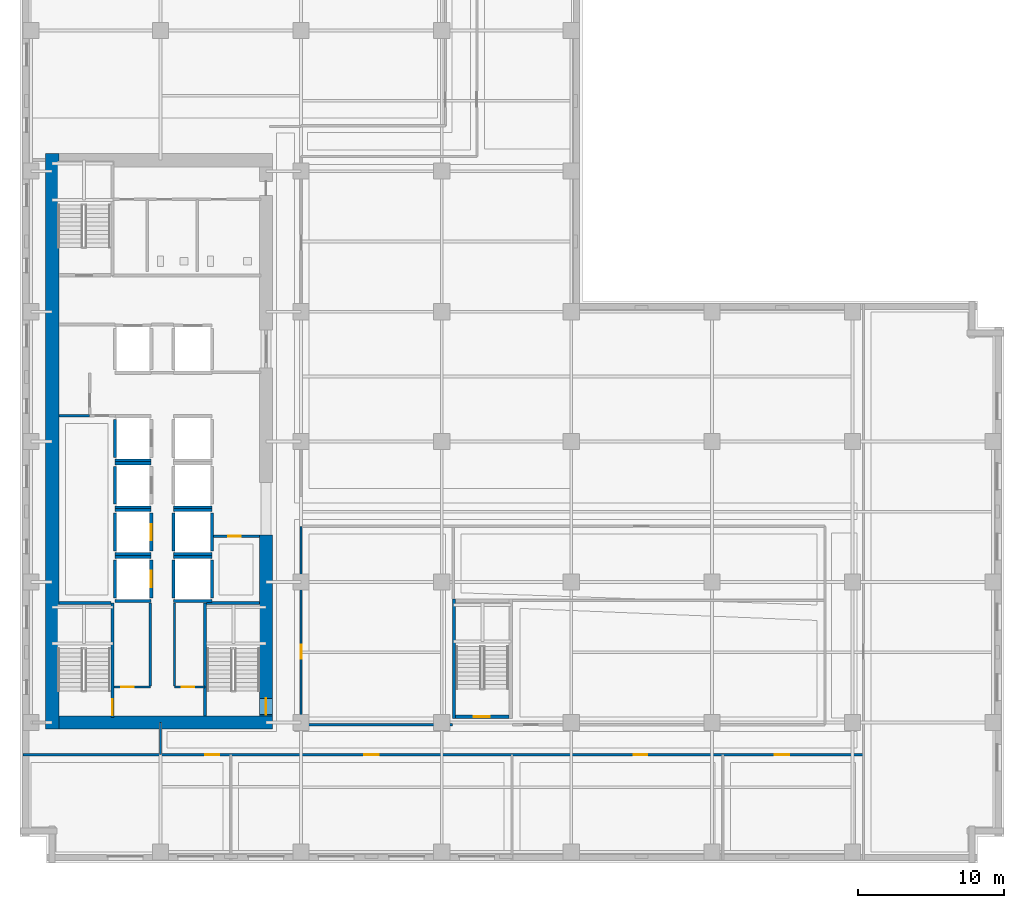
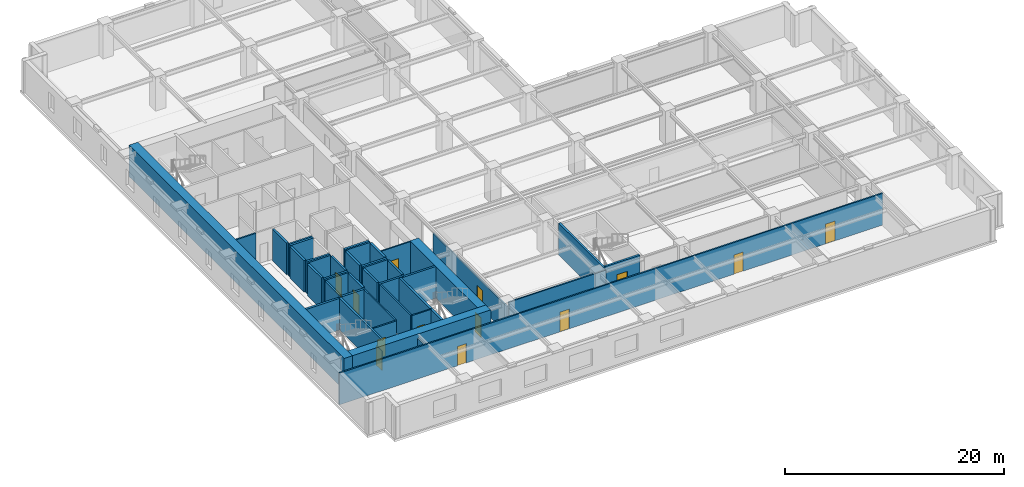
# One storey, part 4 of 13: 41 walls, 13 doors, 13 openings.
"""IFC4 building model written with IfcOpenShell, lengths in metres."""

from ifc_helpers import new_model, si_unit, direction, frame, frame_2d, origin, place, context, subcontext, project, spatial, rectangle, extrude, material, layer, layer_set, type_object, element, fill, save


model = new_model("IFC4")

# Units and contexts
model_context = context("Model", 3, precision=1e-05, world=origin(), true_north=direction((0.0, 1.0)))
body_context = subcontext(model_context, "Body", "Model", "MODEL_VIEW")
ifc_project = project(units=[si_unit("LENGTHUNIT", "METRE"), si_unit("AREAUNIT", "SQUARE_METRE"), si_unit("VOLUMEUNIT", "CUBIC_METRE"), si_unit("PLANEANGLEUNIT", "RADIAN"), si_unit("MASSUNIT", "GRAM", prefix="KILO")], contexts=[model_context])

# Site, building, storey
site_placement = place(None, origin())
site = spatial("IfcSite", under=ifc_project, at=site_placement, CompositionType="ELEMENT")
building_placement = place(site_placement, origin())
building = spatial("IfcBuilding", under=site, at=building_placement, Name="Norrvale University Quadrangle", CompositionType="ELEMENT")
storey_placement = place(building_placement, frame((0.0, 0.0, 81.199951171875)))
storey = spatial("IfcBuildingStorey", under=building, at=storey_placement, Name="L20", CompositionType="ELEMENT", Elevation=81.199951171875)

# Walls
ifc_material_1 = material(Name="Concrete C80/95", Category="concrete")
ifc_layer_1 = layer(ifc_material_1, 0.89990234375, Name="Concrete C80/95")
ifc_layer_set_1 = layer_set([ifc_layer_1], Name="Concrete C80/95")
wall_type_1 = type_object("IfcWallType", Name="Wall Core 900", PredefinedType="SHEAR", material=ifc_layer_set_1)
wall_1_placement = place(storey_placement, frame((2.64990234375, 9.60009765625, 0.0), z_axis=(0.0, 0.0, 1.0), x_axis=(1.0, 0.0, 0.0)))
element("IfcWall", 1, at=wall_1_placement, inside=storey, type_object=wall_type_1, Name="Tower Core Shear Wall L20-S", PredefinedType="SHEAR", context=body_context, shape_type="SweptSolid", body=[
    extrude(rectangle(XDim=14.60009765625, YDim=0.89990234375, at=frame_2d((7.300048828125, 0.0))), origin(), (0.0, 0.0, 1.0), 3.5400390625),
])
wall_2_placement = place(storey_placement, frame((2.199951171875, 9.14990234375, 0.0), z_axis=(0.0, 0.0, 1.0), x_axis=(0.0, 1.0, 0.0)))
element("IfcWall", 2, at=wall_2_placement, inside=storey, type_object=wall_type_1, Name="Tower Core Shear Wall L20-W", PredefinedType="SHEAR", context=body_context, shape_type="SweptSolid", body=[
    extrude(rectangle(XDim=39.300048828125, YDim=0.89990234375, at=frame_2d((19.64990234375, 0.0))), origin(), (0.0, 0.0, 1.0), 3.5400390625),
])

# Wall, opening, door
wall_3_placement = place(storey_placement, frame((16.800048828125, 10.050048828125, 0.0), z_axis=(0.0, 0.0, 1.0), x_axis=(0.0, 1.0, 0.0)))
wall_3 = element("IfcWall", 3, at=wall_3_placement, inside=storey, type_object=wall_type_1, Name="Tower Core Shear Wall L20-E1", PredefinedType="SHEAR", context=body_context, shape_type="SweptSolid", body=[
    extrude(rectangle(XDim=12.349853515625, YDim=0.89990234375, at=frame_2d((6.1748046875, 0.0))), origin(), (0.0, 0.0, 1.0), 3.5400390625),
])
opening_1_placement = place(wall_3_placement, frame((0.090087890625, 0.0, 0.0)))
opening_1 = element("IfcOpeningElement", 4, at=opening_1_placement, cuts=wall_3, Name="Opening D02", PredefinedType="OPENING", context=body_context, shape_type="SweptSolid", body=[
    extrude(rectangle(XDim=1.10009765625, YDim=2.199951171875, at=frame_2d((0.550048828125, 1.10009765625))), frame((0.0, 0.4619140625, 0.0), z_axis=(0.0, -1.0, 0.0), x_axis=(1.0, 0.0, 0.0)), (0.0, 0.0, 1.0), 0.923828125),
])
ifc_material_2 = material(Name="Hollow Steel 350W Fire Door", Category="steel")
door_type_1 = type_object("IfcDoorType", Name="Door Stair Exit 1100x2200", OperationType="NOTDEFINED", PredefinedType="DOOR", material=ifc_material_2)
door_1_placement = place(opening_1_placement, origin())
door_1 = element("IfcDoor", 5, at=door_1_placement, inside=storey, type_object=door_type_1, Name="Door Stair Exit 1100x2200 DR-L20-ST03", OperationType="SINGLE_SWING_LEFT", OverallHeight=2.199951171875, OverallWidth=1.10009765625, PredefinedType="DOOR", context=body_context, shape_type="SweptSolid", body=[
    extrude(rectangle(XDim=1.10009765625, YDim=2.199951171875, at=frame_2d((0.550048828125, 1.10009765625))), frame((0.0, 0.02490234375, 0.0), z_axis=(0.0, -1.0, 0.0), x_axis=(1.0, 0.0, 0.0)), (0.0, 0.0, 1.0), 0.050048828125),
])
fill(opening_1, door_1)

ifc_material_3 = material(Name="Fire-Rated Gypsum Stud Partition")
ifc_layer_2 = layer(ifc_material_3, 0.14990234375, Name="Fire-Rated Gypsum Stud Partition")
ifc_layer_set_2 = layer_set([ifc_layer_2], Name="Fire-Rated Gypsum Stud Partition")
wall_type_2 = type_object("IfcWallType", Name="Wall Gypsum Corridor 150", PredefinedType="PARTITIONING", material=ifc_layer_set_2)
wall_4_placement = place(storey_placement, frame((6.419921875, 12.02001953125, 0.0), z_axis=(0.0, 0.0, 1.0), x_axis=(1.0, 0.0, 0.0)))
wall_4 = element("IfcWall", 6, at=wall_4_placement, inside=storey, type_object=wall_type_2, Name="Interior Partition WL-L20-SC-NL", PredefinedType="PARTITIONING", context=body_context, shape_type="SweptSolid", body=[
    extrude(rectangle(XDim=2.47998046875, YDim=0.14990234375, at=frame_2d((1.239990234375, 0.0))), origin(), (0.0, 0.0, 1.0), 3.5400390625),
])
opening_2_placement = place(wall_4_placement, frame((0.5, 0.0, 0.0)))
opening_2 = element("IfcOpeningElement", 7, at=opening_2_placement, cuts=wall_4, Name="Opening D10", PredefinedType="OPENING", context=body_context, shape_type="SweptSolid", body=[
    extrude(rectangle(XDim=0.85009765625, YDim=2.10009765625, at=frame_2d((0.425048828125, 1.050048828125))), frame((0.0, 0.0869140625, 0.0), z_axis=(0.0, -1.0, 0.0), x_axis=(1.0, 0.0, 0.0)), (0.0, 0.0, 1.0), 0.173828125),
])
ifc_material_4 = material(Name="Hollow Steel 350W Riser Fire Door", Category="steel")
door_type_2 = type_object("IfcDoorType", Name="Door Riser 850x2100", OperationType="NOTDEFINED", PredefinedType="DOOR", material=ifc_material_4)
door_2_placement = place(opening_2_placement, origin())
door_2 = element("IfcDoor", 8, at=door_2_placement, inside=storey, type_object=door_type_2, Name="Door Riser 850x2100 DR-L20-ELEC", OperationType="SINGLE_SWING_LEFT", OverallHeight=2.10009765625, OverallWidth=0.85009765625, PredefinedType="DOOR", context=body_context, shape_type="SweptSolid", body=[
    extrude(rectangle(XDim=0.85009765625, YDim=2.10009765625, at=frame_2d((0.425048828125, 1.050048828125))), frame((0.0, 0.02490234375, 0.0), z_axis=(0.0, -1.0, 0.0), x_axis=(1.0, 0.0, 0.0)), (0.0, 0.0, 1.0), 0.050048828125),
])
fill(opening_2, door_2)

wall_5_placement = place(storey_placement, frame((10.550048828125, 12.02001953125, 0.0), z_axis=(0.0, 0.0, 1.0), x_axis=(1.0, 0.0, 0.0)))
wall_5 = element("IfcWall", 9, at=wall_5_placement, inside=storey, type_object=wall_type_2, Name="Interior Partition WL-L20-SC-NR", PredefinedType="PARTITIONING", context=body_context, shape_type="SweptSolid", body=[
    extrude(rectangle(XDim=2.079833984375, YDim=0.14990234375, at=frame_2d((1.0400390625, 0.0))), origin(), (0.0, 0.0, 1.0), 3.5400390625),
])
opening_3_placement = place(wall_5_placement, frame((0.5, 0.0, 0.0)))
opening_3 = element("IfcOpeningElement", 10, at=opening_3_placement, cuts=wall_5, Name="Opening D10", PredefinedType="OPENING", context=body_context, shape_type="SweptSolid", body=[
    extrude(rectangle(XDim=0.85009765625, YDim=2.10009765625, at=frame_2d((0.425048828125, 1.050048828125))), frame((0.0, 0.0869140625, 0.0), z_axis=(0.0, -1.0, 0.0), x_axis=(1.0, 0.0, 0.0)), (0.0, 0.0, 1.0), 0.173828125),
])
door_3_placement = place(opening_3_placement, origin())
door_3 = element("IfcDoor", 11, at=door_3_placement, inside=storey, type_object=door_type_2, Name="Door Riser 850x2100 DR-L20-IDF", OperationType="SINGLE_SWING_RIGHT", OverallHeight=2.10009765625, OverallWidth=0.85009765625, PredefinedType="DOOR", context=body_context, shape_type="SweptSolid", body=[
    extrude(rectangle(XDim=0.85009765625, YDim=2.10009765625, at=frame_2d((0.425048828125, 1.050048828125))), frame((0.0, 0.02490234375, 0.0), z_axis=(0.0, -1.0, 0.0), x_axis=(1.0, 0.0, 0.0)), (0.0, 0.0, 1.0), 0.050048828125),
])
fill(opening_3, door_3)

# Walls
for number, where, z_axis, x_axis, name in (
    (12, (8.89990234375, 12.094970703125, 0.0), (0.0, 0.0, 1.0), (0.0, 1.0, 0.0), "Interior Partition WL-L20-SC-WL"),
    (13, (10.550048828125, 12.094970703125, 0.0), (0.0, 0.0, 1.0), (0.0, 1.0, 0.0), "Interior Partition WL-L20-SC-WR"),
):
    element("IfcWall", number, at=place(storey_placement, frame(where, z_axis=z_axis, x_axis=x_axis)), inside=storey, type_object=wall_type_2, Name=name, PredefinedType="PARTITIONING", context=body_context, shape_type="SweptSolid", body=[
        extrude(rectangle(XDim=5.679931640625, YDim=0.14990234375, at=frame_2d((2.83984375, 0.0))), origin(), (0.0, 0.0, 1.0), 3.5400390625),
    ])

# Wall, opening, door
wall_6_placement = place(storey_placement, frame((13.22509765625, 22.320068359375, 0.0), z_axis=(0.0, 0.0, 1.0), x_axis=(1.0, 0.0, 0.0)))
wall_6 = element("IfcWall", 14, at=wall_6_placement, inside=storey, type_object=wall_type_2, Name="Interior Partition WL-L20-JAN-N", PredefinedType="PARTITIONING", context=body_context, shape_type="SweptSolid", body=[
    extrude(rectangle(XDim=3.119873046875, YDim=0.14990234375, at=frame_2d((1.56005859375, 0.0))), origin(), (0.0, 0.0, 1.0), 3.5400390625),
])
opening_4_placement = place(wall_6_placement, frame((1.0, 0.0, 0.0)))
opening_4 = element("IfcOpeningElement", 15, at=opening_4_placement, cuts=wall_6, Name="Opening D10", PredefinedType="OPENING", context=body_context, shape_type="SweptSolid", body=[
    extrude(rectangle(XDim=0.85009765625, YDim=2.10009765625, at=frame_2d((0.425048828125, 1.050048828125))), frame((0.0, 0.0869140625, 0.0), z_axis=(0.0, -1.0, 0.0), x_axis=(1.0, 0.0, 0.0)), (0.0, 0.0, 1.0), 0.173828125),
])
door_4_placement = place(opening_4_placement, origin())
door_4 = element("IfcDoor", 16, at=door_4_placement, inside=storey, type_object=door_type_2, Name="Door Riser 850x2100 DR-L20-JAN", OperationType="SINGLE_SWING_LEFT", OverallHeight=2.10009765625, OverallWidth=0.85009765625, PredefinedType="DOOR", context=body_context, shape_type="SweptSolid", body=[
    extrude(rectangle(XDim=0.85009765625, YDim=2.10009765625, at=frame_2d((0.425048828125, 1.050048828125))), frame((0.0, 0.02490234375, 0.0), z_axis=(0.0, -1.0, 0.0), x_axis=(1.0, 0.0, 0.0)), (0.0, 0.0, 1.0), 0.050048828125),
])
fill(opening_4, door_4)

# Walls
wall_7_placement = place(storey_placement, frame((2.64990234375, 30.550048828125, 0.0), z_axis=(0.0, 0.0, 1.0), x_axis=(1.0, 0.0, 0.0)))
element("IfcWall", 17, at=wall_7_placement, inside=storey, type_object=wall_type_2, Name="Interior Partition WL-L20-WST-N2", PredefinedType="PARTITIONING", context=body_context, shape_type="SweptSolid", body=[
    extrude(rectangle(XDim=2.110107421875, YDim=0.14990234375, at=frame_2d((1.05517578125, 0.0))), origin(), (0.0, 0.0, 1.0), 3.5400390625),
])
wall_8_placement = place(storey_placement, frame((9.60009765625, 7.39990234375, 0.0), z_axis=(0.0, 0.0, 1.0), x_axis=(0.0, 1.0, 0.0)))
element("IfcWall", 18, at=wall_8_placement, inside=storey, type_object=wall_type_2, Name="Interior Partition WL-L20-CSW-END", PredefinedType="PARTITIONING", context=body_context, shape_type="SweptSolid", body=[
    extrude(rectangle(XDim=2.2001953125, YDim=0.14990234375, at=frame_2d((1.10009765625, 0.0))), origin(), (0.0, 0.0, 1.0), 3.071044921875),
])

# Wall, openings, doors
wall_9_placement = place(storey_placement, frame((0.219970703125, 7.39990234375, 0.0), z_axis=(0.0, 0.0, 1.0), x_axis=(1.0, 0.0, 0.0)))
wall_9 = element("IfcWall", 19, at=wall_9_placement, inside=storey, type_object=wall_type_2, Name="Interior Partition WL-L20-SCW", PredefinedType="PARTITIONING", context=body_context, shape_type="SweptSolid", body=[
    extrude(rectangle(XDim=57.380126953125, YDim=0.14990234375, at=frame_2d((28.68994140625, 0.0))), origin(), (0.0, 0.0, 1.0), 3.5400390625),
])
opening_5_placement = place(wall_9_placement, frame((12.429931640625, 0.0, 0.0)))
opening_5 = element("IfcOpeningElement", 20, at=opening_5_placement, cuts=wall_9, Name="Opening D07", PredefinedType="OPENING", context=body_context, shape_type="SweptSolid", body=[
    extrude(rectangle(XDim=0.949951171875, YDim=2.14990234375, at=frame_2d((0.47509765625, 1.074951171875))), frame((0.0, 0.0869140625, 0.0), z_axis=(0.0, -1.0, 0.0), x_axis=(1.0, 0.0, 0.0)), (0.0, 0.0, 1.0), 0.173828125),
])
opening_6_placement = place(wall_9_placement, frame((23.280029296875, 0.0, 0.0)))
opening_6 = element("IfcOpeningElement", 21, at=opening_6_placement, cuts=wall_9, Name="Opening D04", PredefinedType="OPENING", context=body_context, shape_type="SweptSolid", body=[
    extrude(rectangle(XDim=1.0, YDim=2.199951171875, at=frame_2d((0.5, 1.10009765625))), frame((0.0, 0.0869140625, 0.0), z_axis=(0.0, -1.0, 0.0), x_axis=(1.0, 0.0, 0.0)), (0.0, 0.0, 1.0), 0.173828125),
])
opening_7_placement = place(wall_9_placement, frame((41.679931640625, 0.0, 0.0)))
opening_7 = element("IfcOpeningElement", 22, at=opening_7_placement, cuts=wall_9, Name="Opening D07", PredefinedType="OPENING", context=body_context, shape_type="SweptSolid", body=[
    extrude(rectangle(XDim=0.949951171875, YDim=2.14990234375, at=frame_2d((0.47509765625, 1.074951171875))), frame((0.0, 0.0869140625, 0.0), z_axis=(0.0, -1.0, 0.0), x_axis=(1.0, 0.0, 0.0)), (0.0, 0.0, 1.0), 0.173828125),
])
opening_8_placement = place(wall_9_placement, frame((51.330078125, 0.0, 0.0)))
opening_8 = element("IfcOpeningElement", 23, at=opening_8_placement, cuts=wall_9, Name="Opening D04", PredefinedType="OPENING", context=body_context, shape_type="SweptSolid", body=[
    extrude(rectangle(XDim=1.0, YDim=2.199951171875, at=frame_2d((0.5, 1.10009765625))), frame((0.0, 0.0869140625, 0.0), z_axis=(0.0, -1.0, 0.0), x_axis=(1.0, 0.0, 0.0)), (0.0, 0.0, 1.0), 0.173828125),
])
ifc_material_5 = material(Name="Solid-Core Oak Fire Door", Category="wood")
door_type_3 = type_object("IfcDoorType", Name="Door Corridor 1000x2200", OperationType="NOTDEFINED", PredefinedType="DOOR", material=ifc_material_5)
door_5_placement = place(opening_6_placement, origin())
door_5 = element("IfcDoor", 24, at=door_5_placement, inside=storey, type_object=door_type_3, Name="Door Corridor 1000x2200 DR-L20-S02", OperationType="SINGLE_SWING_RIGHT", OverallHeight=2.199951171875, OverallWidth=1.0, PredefinedType="DOOR", context=body_context, shape_type="SweptSolid", body=[
    extrude(rectangle(XDim=1.0, YDim=2.199951171875, at=frame_2d((0.5, 1.10009765625))), frame((0.0, 0.02490234375, 0.0), z_axis=(0.0, -1.0, 0.0), x_axis=(1.0, 0.0, 0.0)), (0.0, 0.0, 1.0), 0.050048828125),
])
fill(opening_6, door_5)
door_6_placement = place(opening_8_placement, origin())
door_6 = element("IfcDoor", 25, at=door_6_placement, inside=storey, type_object=door_type_3, Name="Door Corridor 1000x2200 DR-L20-S04", OperationType="SINGLE_SWING_RIGHT", OverallHeight=2.199951171875, OverallWidth=1.0, PredefinedType="DOOR", context=body_context, shape_type="SweptSolid", body=[
    extrude(rectangle(XDim=1.0, YDim=2.199951171875, at=frame_2d((0.5, 1.10009765625))), frame((0.0, 0.02490234375, 0.0), z_axis=(0.0, -1.0, 0.0), x_axis=(1.0, 0.0, 0.0)), (0.0, 0.0, 1.0), 0.050048828125),
])
fill(opening_8, door_6)
ifc_material_6 = material(Name="Solid-Core Maple Door", Category="wood")
door_type_4 = type_object("IfcDoorType", Name="Door Office 950x2150", OperationType="NOTDEFINED", PredefinedType="DOOR", material=ifc_material_6)
door_7_placement = place(opening_5_placement, origin())
door_7 = element("IfcDoor", 26, at=door_7_placement, inside=storey, type_object=door_type_4, Name="Door Office 950x2150 DR-L20-S01", OperationType="SINGLE_SWING_LEFT", OverallHeight=2.14990234375, OverallWidth=0.949951171875, PredefinedType="DOOR", context=body_context, shape_type="SweptSolid", body=[
    extrude(rectangle(XDim=0.949951171875, YDim=2.14990234375, at=frame_2d((0.47509765625, 1.074951171875))), frame((0.0, 0.02490234375, 0.0), z_axis=(0.0, -1.0, 0.0), x_axis=(1.0, 0.0, 0.0)), (0.0, 0.0, 1.0), 0.050048828125),
])
fill(opening_5, door_7)
door_8_placement = place(opening_7_placement, origin())
door_8 = element("IfcDoor", 27, at=door_8_placement, inside=storey, type_object=door_type_4, Name="Door Office 950x2150 DR-L20-S03", OperationType="SINGLE_SWING_LEFT", OverallHeight=2.14990234375, OverallWidth=0.949951171875, PredefinedType="DOOR", context=body_context, shape_type="SweptSolid", body=[
    extrude(rectangle(XDim=0.949951171875, YDim=2.14990234375, at=frame_2d((0.47509765625, 1.074951171875))), frame((0.0, 0.02490234375, 0.0), z_axis=(0.0, -1.0, 0.0), x_axis=(1.0, 0.0, 0.0)), (0.0, 0.0, 1.0), 0.050048828125),
])
fill(opening_7, door_8)

# Wall, opening, door
wall_10_placement = place(storey_placement, frame((19.199951171875, 9.449951171875, 0.0), z_axis=(0.0, 0.0, 1.0), x_axis=(0.0, 1.0, 0.0)))
wall_10 = element("IfcWall", 28, at=wall_10_placement, inside=storey, type_object=wall_type_2, Name="Interior Partition WL-L20-ISLW", PredefinedType="PARTITIONING", context=body_context, shape_type="SweptSolid", body=[
    extrude(rectangle(XDim=13.550048828125, YDim=0.14990234375, at=frame_2d((6.77490234375, 0.0))), origin(), (0.0, 0.0, 1.0), 3.071044921875),
])
opening_9_placement = place(wall_10_placement, frame((4.5, 0.0, 0.0)))
opening_9 = element("IfcOpeningElement", 29, at=opening_9_placement, cuts=wall_10, Name="Opening D07", PredefinedType="OPENING", context=body_context, shape_type="SweptSolid", body=[
    extrude(rectangle(XDim=0.949951171875, YDim=2.14990234375, at=frame_2d((0.47509765625, 1.074951171875))), frame((0.0, 0.0869140625, 0.0), z_axis=(0.0, -1.0, 0.0), x_axis=(1.0, 0.0, 0.0)), (0.0, 0.0, 1.0), 0.173828125),
])
door_9_placement = place(opening_9_placement, origin())
door_9 = element("IfcDoor", 30, at=door_9_placement, inside=storey, type_object=door_type_4, Name="Door Office 950x2150 DR-L20-IW1", OperationType="SINGLE_SWING_LEFT", OverallHeight=2.14990234375, OverallWidth=0.949951171875, PredefinedType="DOOR", context=body_context, shape_type="SweptSolid", body=[
    extrude(rectangle(XDim=0.949951171875, YDim=2.14990234375, at=frame_2d((0.47509765625, 1.074951171875))), frame((0.0, 0.02490234375, 0.0), z_axis=(0.0, -1.0, 0.0), x_axis=(1.0, 0.0, 0.0)), (0.0, 0.0, 1.0), 0.050048828125),
])
fill(opening_9, door_9)

# Wall
wall_11_placement = place(storey_placement, frame((19.280029296875, 9.449951171875, 0.0), z_axis=(0.0, 0.0, 1.0), x_axis=(1.0, 0.0, 0.0)))
element("IfcWall", 31, at=wall_11_placement, inside=storey, type_object=wall_type_2, Name="Interior Partition WL-L20-ISLS1", PredefinedType="PARTITIONING", context=body_context, shape_type="SweptSolid", body=[
    extrude(rectangle(XDim=10.244873046875, YDim=0.14990234375, at=frame_2d((5.12255859375, 0.0))), origin(), (0.0, 0.0, 1.0), 3.5400390625),
])

# Wall, opening, door
ifc_material_7 = material(Name="Concrete Blockwork 20 MPa Fire Shaft", Category="masonry")
ifc_layer_3 = layer(ifc_material_7, 0.219970703125, Name="Concrete Blockwork 20 MPa Fire Shaft")
ifc_layer_set_3 = layer_set([ifc_layer_3], Name="Concrete Blockwork 20 MPa Fire Shaft")
wall_type_3 = type_object("IfcWallType", Name="Wall Shaft 220", PredefinedType="SOLIDWALL", material=ifc_layer_set_3)
wall_12_placement = place(storey_placement, frame((6.31005859375, 9.949951171875, 0.0), z_axis=(0.0, 0.0, 1.0), x_axis=(0.0, 1.0, 0.0)))
wall_12 = element("IfcWall", 32, at=wall_12_placement, inside=storey, type_object=wall_type_3, Name="Stair ST-01 East Shaft Wall L20", PredefinedType="SOLIDWALL", context=body_context, shape_type="SweptSolid", body=[
    extrude(rectangle(XDim=7.81005859375, YDim=0.219970703125, at=frame_2d((3.905029296875, 0.0))), origin(), (0.0, 0.0, 1.0), 3.5400390625),
])
opening_10_placement = place(wall_12_placement, frame((0.139892578125, 0.0, 0.0)))
opening_10 = element("IfcOpeningElement", 33, at=opening_10_placement, cuts=wall_12, Name="Opening D02", PredefinedType="OPENING", context=body_context, shape_type="SweptSolid", body=[
    extrude(rectangle(XDim=1.10009765625, YDim=2.199951171875, at=frame_2d((0.550048828125, 1.10009765625))), frame((0.0, 0.1220703125, 0.0), z_axis=(0.0, -1.0, 0.0), x_axis=(1.0, 0.0, 0.0)), (0.0, 0.0, 1.0), 0.243896484375),
])
door_10_placement = place(opening_10_placement, origin())
door_10 = element("IfcDoor", 34, at=door_10_placement, inside=storey, type_object=door_type_1, Name="Door Stair Exit 1100x2200 DR-L20-ST01", OperationType="SINGLE_SWING_LEFT", OverallHeight=2.199951171875, OverallWidth=1.10009765625, PredefinedType="DOOR", context=body_context, shape_type="SweptSolid", body=[
    extrude(rectangle(XDim=1.10009765625, YDim=2.199951171875, at=frame_2d((0.550048828125, 1.10009765625))), frame((0.0, 0.02490234375, 0.0), z_axis=(0.0, -1.0, 0.0), x_axis=(1.0, 0.0, 0.0)), (0.0, 0.0, 1.0), 0.050048828125),
])
fill(opening_10, door_10)

# Walls
wall_13_placement = place(storey_placement, frame((2.64990234375, 17.760009765625, 0.0), z_axis=(0.0, 0.0, 1.0), x_axis=(1.0, 0.0, 0.0)))
element("IfcWall", 35, at=wall_13_placement, inside=storey, type_object=wall_type_3, Name="Stair ST-01 North Shaft Wall L20", PredefinedType="SOLIDWALL", context=body_context, shape_type="SweptSolid", body=[
    extrude(rectangle(XDim=3.550048828125, YDim=0.219970703125, at=frame_2d((1.77490234375, 0.0))), origin(), (0.0, 0.0, 1.0), 3.5400390625),
])
wall_14_placement = place(storey_placement, frame((12.639892578125, 10.050048828125, 0.0), z_axis=(0.0, 0.0, 1.0), x_axis=(0.0, 1.0, 0.0)))
element("IfcWall", 36, at=wall_14_placement, inside=storey, type_object=wall_type_3, Name="Stair ST-03 West Shaft Wall L20", PredefinedType="SOLIDWALL", context=body_context, shape_type="SweptSolid", body=[
    extrude(rectangle(XDim=7.7099609375, YDim=0.219970703125, at=frame_2d((3.85498046875, 0.0))), origin(), (0.0, 0.0, 1.0), 3.5400390625),
])
wall_15_placement = place(storey_placement, frame((12.75, 17.760009765625, 0.0), z_axis=(0.0, 0.0, 1.0), x_axis=(1.0, 0.0, 0.0)))
element("IfcWall", 37, at=wall_15_placement, inside=storey, type_object=wall_type_3, Name="Stair ST-03 North Shaft Wall L20", PredefinedType="SOLIDWALL", context=body_context, shape_type="SweptSolid", body=[
    extrude(rectangle(XDim=3.60009765625, YDim=0.219970703125, at=frame_2d((1.800048828125, 0.0))), origin(), (0.0, 0.0, 1.0), 3.5400390625),
])

# Wall, opening, door
wall_16_placement = place(storey_placement, frame((29.75, 9.989990234375, 0.0), z_axis=(0.0, 0.0, 1.0), x_axis=(1.0, 0.0, 0.0)))
wall_16 = element("IfcWall", 38, at=wall_16_placement, inside=storey, type_object=wall_type_3, Name="Stair ST-04 South Shaft Wall L20", PredefinedType="SOLIDWALL", context=body_context, shape_type="SweptSolid", body=[
    extrude(rectangle(XDim=3.64990234375, YDim=0.219970703125, at=frame_2d((1.824951171875, 0.0))), origin(), (0.0, 0.0, 1.0), 3.5400390625),
])
opening_11_placement = place(wall_16_placement, frame((1.239990234375, 0.0, 0.0)))
opening_11 = element("IfcOpeningElement", 39, at=opening_11_placement, cuts=wall_16, Name="Opening D02", PredefinedType="OPENING", context=body_context, shape_type="SweptSolid", body=[
    extrude(rectangle(XDim=1.10009765625, YDim=2.199951171875, at=frame_2d((0.550048828125, 1.10009765625))), frame((0.0, 0.1220703125, 0.0), z_axis=(0.0, -1.0, 0.0), x_axis=(1.0, 0.0, 0.0)), (0.0, 0.0, 1.0), 0.243896484375),
])
door_11_placement = place(opening_11_placement, origin())
door_11 = element("IfcDoor", 40, at=door_11_placement, inside=storey, type_object=door_type_1, Name="Door Stair Exit 1100x2200 DR-L20-ST04", OperationType="SINGLE_SWING_LEFT", OverallHeight=2.199951171875, OverallWidth=1.10009765625, PredefinedType="DOOR", context=body_context, shape_type="SweptSolid", body=[
    extrude(rectangle(XDim=1.10009765625, YDim=2.199951171875, at=frame_2d((0.550048828125, 1.10009765625))), frame((0.0, 0.02490234375, 0.0), z_axis=(0.0, -1.0, 0.0), x_axis=(1.0, 0.0, 0.0)), (0.0, 0.0, 1.0), 0.050048828125),
])
fill(opening_11, door_11)

# Walls
wall_17_placement = place(storey_placement, frame((29.639892578125, 9.8798828125, 0.0), z_axis=(0.0, 0.0, 1.0), x_axis=(0.0, 1.0, 0.0)))
element("IfcWall", 41, at=wall_17_placement, inside=storey, type_object=wall_type_3, Name="Stair ST-04 West Shaft Wall L20", PredefinedType="SOLIDWALL", context=body_context, shape_type="SweptSolid", body=[
    extrude(rectangle(XDim=8.14013671875, YDim=0.219970703125, at=frame_2d((4.070068359375, 0.0))), origin(), (0.0, 0.0, 1.0), 3.5400390625),
])
wall_18_placement = place(storey_placement, frame((6.489990234375, 18.110107421875, 0.0), z_axis=(0.0, 0.0, 1.0), x_axis=(0.0, 1.0, 0.0)))
element("IfcWall", 42, at=wall_18_placement, inside=storey, type_object=wall_type_3, Name="Hoistway PL-01 West Wall L20", PredefinedType="SOLIDWALL", context=body_context, shape_type="SweptSolid", body=[
    extrude(rectangle(XDim=2.579833984375, YDim=0.219970703125, at=frame_2d((1.2900390625, 0.0))), origin(), (0.0, 0.0, 1.0), 3.5400390625),
])

# Wall, opening, door
wall_19_placement = place(storey_placement, frame((8.9599609375, 18.110107421875, 0.0), z_axis=(0.0, 0.0, 1.0), x_axis=(0.0, 1.0, 0.0)))
wall_19 = element("IfcWall", 43, at=wall_19_placement, inside=storey, type_object=wall_type_3, Name="Hoistway PL-01 East Wall L20", PredefinedType="SOLIDWALL", context=body_context, shape_type="SweptSolid", body=[
    extrude(rectangle(XDim=2.579833984375, YDim=0.219970703125, at=frame_2d((1.2900390625, 0.0))), origin(), (0.0, 0.0, 1.0), 3.5400390625),
])
opening_12_placement = place(wall_19_placement, frame((0.739990234375, 0.0, 0.0)))
opening_12 = element("IfcOpeningElement", 44, at=opening_12_placement, cuts=wall_19, Name="Opening LD1", PredefinedType="OPENING", context=body_context, shape_type="SweptSolid", body=[
    extrude(rectangle(XDim=1.10009765625, YDim=2.199951171875, at=frame_2d((0.550048828125, 1.10009765625))), frame((0.0, 0.1220703125, 0.0), z_axis=(0.0, -1.0, 0.0), x_axis=(1.0, 0.0, 0.0)), (0.0, 0.0, 1.0), 0.243896484375),
])
ifc_material_8 = material(Name="Stainless Steel 316L Lift Landing Door", Category="steel")
door_type_5 = type_object("IfcDoorType", Name="Door Lift Landing 1100x2200", OperationType="DOUBLE_DOOR_SLIDING", PredefinedType="DOOR", material=ifc_material_8)
door_12_placement = place(opening_12_placement, origin())
door_12 = element("IfcDoor", 45, at=door_12_placement, inside=storey, type_object=door_type_5, Name="Elevator Landing Door DR-L20-PL-01", OperationType="DOUBLE_DOOR_SLIDING", OverallHeight=2.199951171875, OverallWidth=1.10009765625, PredefinedType="DOOR", context=body_context, shape_type="SweptSolid", body=[
    extrude(rectangle(XDim=1.10009765625, YDim=2.199951171875, at=frame_2d((0.550048828125, 1.10009765625))), frame((0.0, 0.02490234375, 0.0), z_axis=(0.0, -1.0, 0.0), x_axis=(1.0, 0.0, 0.0)), (0.0, 0.0, 1.0), 0.050048828125),
])
fill(opening_12, door_12)

# Walls
for number, where, z_axis, x_axis, name in (
    (46, (6.489990234375, 17.889892578125, 0.0), (0.0, 0.0, 1.0), (1.0, 0.0, 0.0), "Hoistway PL-01 South Wall L20"),
    (47, (6.489990234375, 20.909912109375, 0.0), (0.0, 0.0, 1.0), (1.0, 0.0, 0.0), "Hoistway PL-01 North Wall L20"),
):
    element("IfcWall", number, at=place(storey_placement, frame(where, z_axis=z_axis, x_axis=x_axis)), inside=storey, type_object=wall_type_3, Name=name, PredefinedType="SOLIDWALL", context=body_context, shape_type="SweptSolid", body=[
        extrude(rectangle(XDim=2.469970703125, YDim=0.219970703125, at=frame_2d((1.23486328125, 0.0))), origin(), (0.0, 0.0, 1.0), 3.5400390625),
    ])
wall_20_placement = place(storey_placement, frame((6.489990234375, 21.31005859375, 0.0), z_axis=(0.0, 0.0, 1.0), x_axis=(0.0, 1.0, 0.0)))
element("IfcWall", 48, at=wall_20_placement, inside=storey, type_object=wall_type_3, Name="Hoistway PL-02 West Wall L20", PredefinedType="SOLIDWALL", context=body_context, shape_type="SweptSolid", body=[
    extrude(rectangle(XDim=2.579833984375, YDim=0.219970703125, at=frame_2d((1.2900390625, 0.0))), origin(), (0.0, 0.0, 1.0), 3.5400390625),
])

# Wall, opening, door
wall_21_placement = place(storey_placement, frame((8.9599609375, 21.31005859375, 0.0), z_axis=(0.0, 0.0, 1.0), x_axis=(0.0, 1.0, 0.0)))
wall_21 = element("IfcWall", 49, at=wall_21_placement, inside=storey, type_object=wall_type_3, Name="Hoistway PL-02 East Wall L20", PredefinedType="SOLIDWALL", context=body_context, shape_type="SweptSolid", body=[
    extrude(rectangle(XDim=2.579833984375, YDim=0.219970703125, at=frame_2d((1.2900390625, 0.0))), origin(), (0.0, 0.0, 1.0), 3.5400390625),
])
opening_13_placement = place(wall_21_placement, frame((0.739990234375, 0.0, 0.0)))
opening_13 = element("IfcOpeningElement", 50, at=opening_13_placement, cuts=wall_21, Name="Opening LD1", PredefinedType="OPENING", context=body_context, shape_type="SweptSolid", body=[
    extrude(rectangle(XDim=1.10009765625, YDim=2.199951171875, at=frame_2d((0.550048828125, 1.10009765625))), frame((0.0, 0.1220703125, 0.0), z_axis=(0.0, -1.0, 0.0), x_axis=(1.0, 0.0, 0.0)), (0.0, 0.0, 1.0), 0.243896484375),
])
door_13_placement = place(opening_13_placement, origin())
door_13 = element("IfcDoor", 51, at=door_13_placement, inside=storey, type_object=door_type_5, Name="Elevator Landing Door DR-L20-PL-02", OperationType="DOUBLE_DOOR_SLIDING", OverallHeight=2.199951171875, OverallWidth=1.10009765625, PredefinedType="DOOR", context=body_context, shape_type="SweptSolid", body=[
    extrude(rectangle(XDim=1.10009765625, YDim=2.199951171875, at=frame_2d((0.550048828125, 1.10009765625))), frame((0.0, 0.02490234375, 0.0), z_axis=(0.0, -1.0, 0.0), x_axis=(1.0, 0.0, 0.0)), (0.0, 0.0, 1.0), 0.050048828125),
])
fill(opening_13, door_13)

# Walls
for number, where, z_axis, x_axis, name in (
    (52, (6.489990234375, 21.090087890625, 0.0), (0.0, 0.0, 1.0), (1.0, 0.0, 0.0), "Hoistway PL-02 South Wall L20"),
    (53, (6.489990234375, 24.110107421875, 0.0), (0.0, 0.0, 1.0), (1.0, 0.0, 0.0), "Hoistway PL-02 North Wall L20"),
):
    element("IfcWall", number, at=place(storey_placement, frame(where, z_axis=z_axis, x_axis=x_axis)), inside=storey, type_object=wall_type_3, Name=name, PredefinedType="SOLIDWALL", context=body_context, shape_type="SweptSolid", body=[
        extrude(rectangle(XDim=2.469970703125, YDim=0.219970703125, at=frame_2d((1.23486328125, 0.0))), origin(), (0.0, 0.0, 1.0), 3.5400390625),
    ])
wall_22_placement = place(storey_placement, frame((6.489990234375, 24.510009765625, 0.0), z_axis=(0.0, 0.0, 1.0), x_axis=(0.0, 1.0, 0.0)))
element("IfcWall", 54, at=wall_22_placement, inside=storey, type_object=wall_type_3, Name="Hoistway PL-03 West Wall L20", PredefinedType="SOLIDWALL", context=body_context, shape_type="SweptSolid", body=[
    extrude(rectangle(XDim=2.580078125, YDim=0.219970703125, at=frame_2d((1.2900390625, 0.0))), origin(), (0.0, 0.0, 1.0), 3.5400390625),
])
for number, where, z_axis, x_axis, name in (
    (55, (6.489990234375, 24.2900390625, 0.0), (0.0, 0.0, 1.0), (1.0, 0.0, 0.0), "Hoistway PL-03 South Wall L20"),
    (56, (6.489990234375, 27.31005859375, 0.0), (0.0, 0.0, 1.0), (1.0, 0.0, 0.0), "Hoistway PL-03 North Wall L20"),
):
    element("IfcWall", number, at=place(storey_placement, frame(where, z_axis=z_axis, x_axis=x_axis)), inside=storey, type_object=wall_type_3, Name=name, PredefinedType="SOLIDWALL", context=body_context, shape_type="SweptSolid", body=[
        extrude(rectangle(XDim=2.469970703125, YDim=0.219970703125, at=frame_2d((1.23486328125, 0.0))), origin(), (0.0, 0.0, 1.0), 3.5400390625),
    ])
wall_23_placement = place(storey_placement, frame((6.489990234375, 27.7099609375, 0.0), z_axis=(0.0, 0.0, 1.0), x_axis=(0.0, 1.0, 0.0)))
element("IfcWall", 57, at=wall_23_placement, inside=storey, type_object=wall_type_3, Name="Hoistway PL-04 West Wall L20", PredefinedType="SOLIDWALL", context=body_context, shape_type="SweptSolid", body=[
    extrude(rectangle(XDim=2.580078125, YDim=0.219970703125, at=frame_2d((1.2900390625, 0.0))), origin(), (0.0, 0.0, 1.0), 3.5400390625),
])
wall_24_placement = place(storey_placement, frame((6.489990234375, 27.489990234375, 0.0), z_axis=(0.0, 0.0, 1.0), x_axis=(1.0, 0.0, 0.0)))
element("IfcWall", 58, at=wall_24_placement, inside=storey, type_object=wall_type_3, Name="Hoistway PL-04 South Wall L20", PredefinedType="SOLIDWALL", context=body_context, shape_type="SweptSolid", body=[
    extrude(rectangle(XDim=2.469970703125, YDim=0.219970703125, at=frame_2d((1.23486328125, 0.0))), origin(), (0.0, 0.0, 1.0), 3.5400390625),
])
for number, where, z_axis, x_axis, name in (
    (59, (10.489990234375, 18.110107421875, 0.0), (0.0, 0.0, 1.0), (0.0, 1.0, 0.0), "Hoistway PL-05 West Wall L20"),
    (60, (13.110107421875, 18.110107421875, 0.0), (0.0, 0.0, 1.0), (0.0, 1.0, 0.0), "Hoistway PL-05 East Wall L20"),
):
    element("IfcWall", number, at=place(storey_placement, frame(where, z_axis=z_axis, x_axis=x_axis)), inside=storey, type_object=wall_type_3, Name=name, PredefinedType="SOLIDWALL", context=body_context, shape_type="SweptSolid", body=[
        extrude(rectangle(XDim=2.579833984375, YDim=0.219970703125, at=frame_2d((1.2900390625, 0.0))), origin(), (0.0, 0.0, 1.0), 3.5400390625),
    ])
for number, where, z_axis, x_axis, name in (
    (61, (10.489990234375, 17.889892578125, 0.0), (0.0, 0.0, 1.0), (1.0, 0.0, 0.0), "Hoistway PL-05 South Wall L20"),
    (62, (10.489990234375, 20.909912109375, 0.0), (0.0, 0.0, 1.0), (1.0, 0.0, 0.0), "Hoistway PL-05 North Wall L20"),
):
    element("IfcWall", number, at=place(storey_placement, frame(where, z_axis=z_axis, x_axis=x_axis)), inside=storey, type_object=wall_type_3, Name=name, PredefinedType="SOLIDWALL", context=body_context, shape_type="SweptSolid", body=[
        extrude(rectangle(XDim=2.6201171875, YDim=0.219970703125, at=frame_2d((1.31005859375, 0.0))), origin(), (0.0, 0.0, 1.0), 3.5400390625),
    ])
for number, where, z_axis, x_axis, name in (
    (63, (10.489990234375, 21.31005859375, 0.0), (0.0, 0.0, 1.0), (0.0, 1.0, 0.0), "Hoistway PL-06 West Wall L20"),
    (64, (13.110107421875, 21.31005859375, 0.0), (0.0, 0.0, 1.0), (0.0, 1.0, 0.0), "Hoistway PL-06 East Wall L20"),
):
    element("IfcWall", number, at=place(storey_placement, frame(where, z_axis=z_axis, x_axis=x_axis)), inside=storey, type_object=wall_type_3, Name=name, PredefinedType="SOLIDWALL", context=body_context, shape_type="SweptSolid", body=[
        extrude(rectangle(XDim=2.579833984375, YDim=0.219970703125, at=frame_2d((1.2900390625, 0.0))), origin(), (0.0, 0.0, 1.0), 3.5400390625),
    ])
for number, where, z_axis, x_axis, name in (
    (65, (10.489990234375, 21.090087890625, 0.0), (0.0, 0.0, 1.0), (1.0, 0.0, 0.0), "Hoistway PL-06 South Wall L20"),
    (66, (10.489990234375, 24.110107421875, 0.0), (0.0, 0.0, 1.0), (1.0, 0.0, 0.0), "Hoistway PL-06 North Wall L20"),
    (67, (10.489990234375, 24.2900390625, 0.0), (0.0, 0.0, 1.0), (1.0, 0.0, 0.0), "Hoistway PL-07 South Wall L20"),
):
    element("IfcWall", number, at=place(storey_placement, frame(where, z_axis=z_axis, x_axis=x_axis)), inside=storey, type_object=wall_type_3, Name=name, PredefinedType="SOLIDWALL", context=body_context, shape_type="SweptSolid", body=[
        extrude(rectangle(XDim=2.6201171875, YDim=0.219970703125, at=frame_2d((1.31005859375, 0.0))), origin(), (0.0, 0.0, 1.0), 3.5400390625),
    ])

save(model, "model.ifc")
